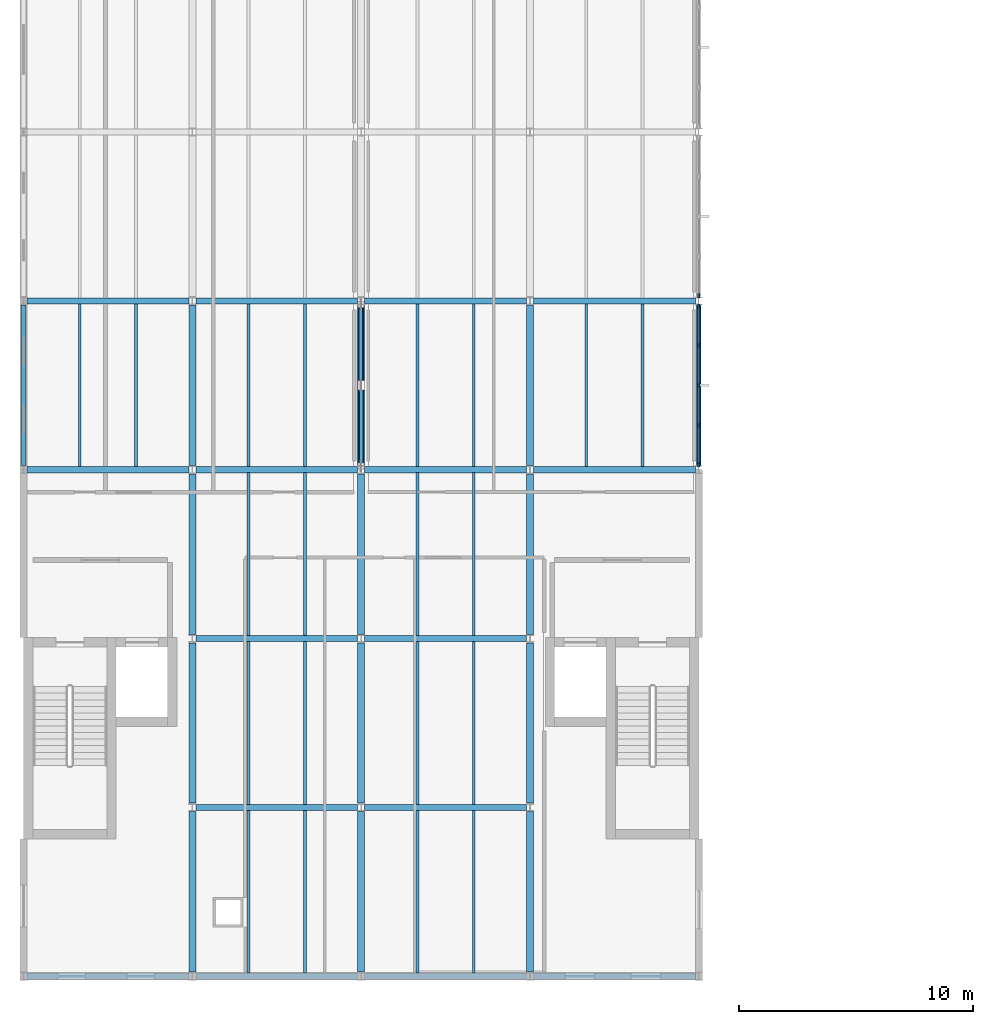
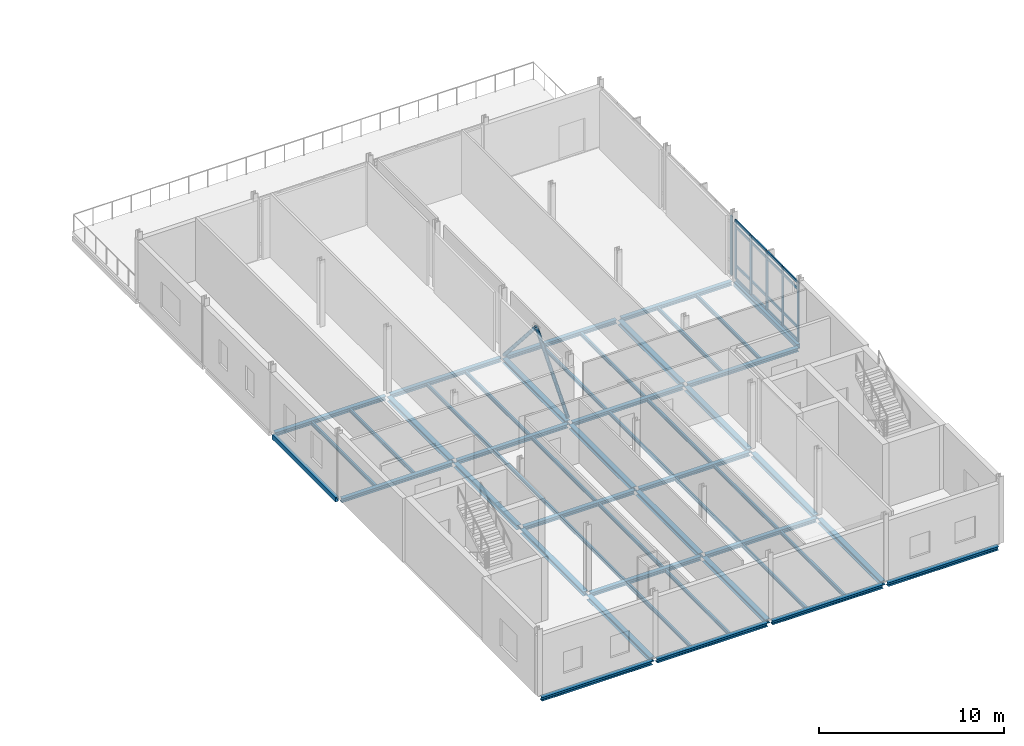
# One storey, part 4 of 21: 50 beams, 24 members, 2 elements without a shape of their own.
"""IFC4 building model written with IfcOpenShell, lengths in metres."""

from ifc_helpers import new_model, si_unit, direction, frame, origin, origin_2d, place, context, subcontext, project, spatial, rectangle, hollow_rectangle, hollow_circle, i_section, extrude, material, layer, layer_set, material_profile, profile_set, type_object, element, aggregate, save


model = new_model("IFC4")

# Units and contexts
model_context = context("Model", 3, precision=1e-05, world=origin(), true_north=direction((0.0, 1.0)))
body_context = subcontext(model_context, "Body", "Model", "MODEL_VIEW")
ifc_project = project(units=[si_unit("LENGTHUNIT", "METRE"), si_unit("AREAUNIT", "SQUARE_METRE"), si_unit("VOLUMEUNIT", "CUBIC_METRE"), si_unit("PLANEANGLEUNIT", "RADIAN"), si_unit("MASSUNIT", "GRAM", prefix="KILO")], contexts=[model_context])

# Site, building, storey
site_placement = place(None, origin())
site = spatial("IfcSite", under=ifc_project, at=site_placement, CompositionType="ELEMENT")
building_placement = place(site_placement, origin())
building = spatial("IfcBuilding", under=site, at=building_placement, Name="Zarrinpeak Specialist Clinic", CompositionType="ELEMENT")
storey_placement = place(building_placement, frame((0.0, 0.0, 22.800048828125)))
storey = spatial("IfcBuildingStorey", under=building, at=storey_placement, Name="L05", CompositionType="ELEMENT", Elevation=22.800048828125)

# Beams
ifc_material_1 = material(Name="Steel S355", Category="steel")
ifc_material_profile_1 = material_profile(ifc_material_1, i_section(OverallWidth=0.260009765625, OverallDepth=0.25, WebThickness=0.007568359375, FlangeThickness=0.012451171875, FilletRadius=0.02392578125, at=origin_2d()), Name="HEA 260")
ifc_profile_set_1 = profile_set([ifc_material_profile_1], Name="Steel S355")
beam_type_1 = type_object("IfcBeamType", Name="BM-HEA260", PredefinedType="BEAM", material=ifc_profile_set_1)
for number, where, z_axis, x_axis, name in (
    (1, (0.14794921875, 0.0, -0.31005859375), (1.0, 0.0, 0.0), (0.0, 1.0, 0.0), "L05 Primary Floor Girder BM-L05-X2037"),
    (2, (7.347900390625, 0.0, -0.31005859375), (1.0, 0.0, 0.0), (0.0, 1.0, 0.0), "L05 Primary Floor Girder BM-L05-X2038"),
):
    element("IfcBeam", number, at=place(storey_placement, frame(where, z_axis=z_axis, x_axis=x_axis)), inside=storey, type_object=beam_type_1, Name=name, PredefinedType="BEAM", context=body_context, shape_type="SweptSolid", body=[
        extrude(i_section(OverallWidth=0.260009765625, OverallDepth=0.25, WebThickness=0.007568359375, FlangeThickness=0.012451171875, FilletRadius=0.02392578125, at=origin_2d()), origin(), (0.0, 0.0, 1.0), 6.904052734375),
    ])
beam_1_placement = place(storey_placement, frame((14.548095703125, 0.0, -0.31005859375), z_axis=(1.0, 0.0, 0.0), x_axis=(0.0, 1.0, 0.0)))
element("IfcBeam", 3, at=beam_1_placement, inside=storey, type_object=beam_type_1, Name="L05 Primary Floor Girder BM-L05-X2039", PredefinedType="BEAM", context=body_context, shape_type="SweptSolid", body=[
    extrude(i_section(OverallWidth=0.260009765625, OverallDepth=0.25, WebThickness=0.007568359375, FlangeThickness=0.012451171875, FilletRadius=0.02392578125, at=origin_2d()), origin(), (0.0, 0.0, 1.0), 6.90380859375),
])
for number, where, z_axis, x_axis, name in (
    (4, (21.748046875, 0.0, -0.31005859375), (1.0, 0.0, 0.0), (0.0, 1.0, 0.0), "L05 Primary Floor Girder BM-L05-X2040"),
    (5, (7.347900390625, 7.199951171875, -0.31005859375), (1.0, 0.0, 0.0), (0.0, 1.0, 0.0), "L05 Primary Floor Girder BM-L05-X2041"),
):
    element("IfcBeam", number, at=place(storey_placement, frame(where, z_axis=z_axis, x_axis=x_axis)), inside=storey, type_object=beam_type_1, Name=name, PredefinedType="BEAM", context=body_context, shape_type="SweptSolid", body=[
        extrude(i_section(OverallWidth=0.260009765625, OverallDepth=0.25, WebThickness=0.007568359375, FlangeThickness=0.012451171875, FilletRadius=0.02392578125, at=origin_2d()), origin(), (0.0, 0.0, 1.0), 6.904052734375),
    ])
beam_2_placement = place(storey_placement, frame((14.548095703125, 7.199951171875, -0.31005859375), z_axis=(1.0, 0.0, 0.0), x_axis=(0.0, 1.0, 0.0)))
element("IfcBeam", 6, at=beam_2_placement, inside=storey, type_object=beam_type_1, Name="L05 Primary Floor Girder BM-L05-X2042", PredefinedType="BEAM", context=body_context, shape_type="SweptSolid", body=[
    extrude(i_section(OverallWidth=0.260009765625, OverallDepth=0.25, WebThickness=0.007568359375, FlangeThickness=0.012451171875, FilletRadius=0.02392578125, at=origin_2d()), origin(), (0.0, 0.0, 1.0), 6.90380859375),
])
beam_3_placement = place(storey_placement, frame((7.347900390625, 14.39990234375, -0.31005859375), z_axis=(1.0, 0.0, 0.0), x_axis=(0.0, 1.0, 0.0)))
element("IfcBeam", 7, at=beam_3_placement, inside=storey, type_object=beam_type_1, Name="L05 Primary Floor Girder BM-L05-X2043", PredefinedType="BEAM", context=body_context, shape_type="SweptSolid", body=[
    extrude(i_section(OverallWidth=0.260009765625, OverallDepth=0.25, WebThickness=0.007568359375, FlangeThickness=0.012451171875, FilletRadius=0.02392578125, at=origin_2d()), origin(), (0.0, 0.0, 1.0), 6.904052734375),
])
beam_4_placement = place(storey_placement, frame((14.548095703125, 14.39990234375, -0.31005859375), z_axis=(1.0, 0.0, 0.0), x_axis=(0.0, 1.0, 0.0)))
element("IfcBeam", 8, at=beam_4_placement, inside=storey, type_object=beam_type_1, Name="L05 Primary Floor Girder BM-L05-X2044", PredefinedType="BEAM", context=body_context, shape_type="SweptSolid", body=[
    extrude(i_section(OverallWidth=0.260009765625, OverallDepth=0.25, WebThickness=0.007568359375, FlangeThickness=0.012451171875, FilletRadius=0.02392578125, at=origin_2d()), origin(), (0.0, 0.0, 1.0), 6.90380859375),
])
for number, where, z_axis, x_axis, name in (
    (9, (0.14794921875, 21.60009765625, -0.31005859375), (1.0, 0.0, 0.0), (0.0, 1.0, 0.0), "L05 Primary Floor Girder BM-L05-X2045"),
    (10, (7.347900390625, 21.60009765625, -0.31005859375), (1.0, 0.0, 0.0), (0.0, 1.0, 0.0), "L05 Primary Floor Girder BM-L05-X2046"),
):
    element("IfcBeam", number, at=place(storey_placement, frame(where, z_axis=z_axis, x_axis=x_axis)), inside=storey, type_object=beam_type_1, Name=name, PredefinedType="BEAM", context=body_context, shape_type="SweptSolid", body=[
        extrude(i_section(OverallWidth=0.260009765625, OverallDepth=0.25, WebThickness=0.007568359375, FlangeThickness=0.012451171875, FilletRadius=0.02392578125, at=origin_2d()), origin(), (0.0, 0.0, 1.0), 6.904052734375),
    ])
beam_5_placement = place(storey_placement, frame((14.548095703125, 21.60009765625, -0.31005859375), z_axis=(1.0, 0.0, 0.0), x_axis=(0.0, 1.0, 0.0)))
element("IfcBeam", 11, at=beam_5_placement, inside=storey, type_object=beam_type_1, Name="L05 Primary Floor Girder BM-L05-X2047", PredefinedType="BEAM", context=body_context, shape_type="SweptSolid", body=[
    extrude(i_section(OverallWidth=0.260009765625, OverallDepth=0.25, WebThickness=0.007568359375, FlangeThickness=0.012451171875, FilletRadius=0.02392578125, at=origin_2d()), origin(), (0.0, 0.0, 1.0), 6.90380859375),
])
for number, where, z_axis, x_axis, name in (
    (12, (21.748046875, 21.60009765625, -0.31005859375), (1.0, 0.0, 0.0), (0.0, 1.0, 0.0), "L05 Primary Floor Girder BM-L05-X2048"),
    (13, (0.14794921875, 28.800048828125, -0.31005859375), (1.0, 0.0, 0.0), (0.0, 1.0, 0.0), "L05 Primary Floor Girder BM-L05-X2049"),
    (14, (7.347900390625, 28.800048828125, -0.31005859375), (1.0, 0.0, 0.0), (0.0, 1.0, 0.0), "L05 Primary Floor Girder BM-L05-X2050"),
):
    element("IfcBeam", number, at=place(storey_placement, frame(where, z_axis=z_axis, x_axis=x_axis)), inside=storey, type_object=beam_type_1, Name=name, PredefinedType="BEAM", context=body_context, shape_type="SweptSolid", body=[
        extrude(i_section(OverallWidth=0.260009765625, OverallDepth=0.25, WebThickness=0.007568359375, FlangeThickness=0.012451171875, FilletRadius=0.02392578125, at=origin_2d()), origin(), (0.0, 0.0, 1.0), 6.904052734375),
    ])
beam_6_placement = place(storey_placement, frame((14.548095703125, 28.800048828125, -0.31005859375), z_axis=(1.0, 0.0, 0.0), x_axis=(0.0, 1.0, 0.0)))
element("IfcBeam", 15, at=beam_6_placement, inside=storey, type_object=beam_type_1, Name="L05 Primary Floor Girder BM-L05-X2051", PredefinedType="BEAM", context=body_context, shape_type="SweptSolid", body=[
    extrude(i_section(OverallWidth=0.260009765625, OverallDepth=0.25, WebThickness=0.007568359375, FlangeThickness=0.012451171875, FilletRadius=0.02392578125, at=origin_2d()), origin(), (0.0, 0.0, 1.0), 6.90380859375),
])
beam_7_placement = place(storey_placement, frame((21.748046875, 28.800048828125, -0.31005859375), z_axis=(1.0, 0.0, 0.0), x_axis=(0.0, 1.0, 0.0)))
element("IfcBeam", 16, at=beam_7_placement, inside=storey, type_object=beam_type_1, Name="L05 Primary Floor Girder BM-L05-X2052", PredefinedType="BEAM", context=body_context, shape_type="SweptSolid", body=[
    extrude(i_section(OverallWidth=0.260009765625, OverallDepth=0.25, WebThickness=0.007568359375, FlangeThickness=0.012451171875, FilletRadius=0.02392578125, at=origin_2d()), origin(), (0.0, 0.0, 1.0), 6.904052734375),
])
ifc_material_profile_2 = material_profile(ifc_material_1, i_section(OverallWidth=0.300048828125, OverallDepth=0.2900390625, WebThickness=0.008544921875, FlangeThickness=0.013916015625, FilletRadius=0.027099609375, at=origin_2d()), Name="HEA 300")
ifc_profile_set_2 = profile_set([ifc_material_profile_2], Name="Steel S355")
beam_type_2 = type_object("IfcBeamType", Name="BM-HEA300", PredefinedType="BEAM", material=ifc_profile_set_2)
for number, where, z_axis, x_axis, name in (
    (17, (7.199951171875, 0.177978515625, -0.330078125), (0.0, 1.0, 0.0), (-1.0, 0.0, 0.0), "L05 Primary Beam BM-L05-Y2087"),
    (18, (7.199951171875, 7.3779296875, -0.330078125), (0.0, 1.0, 0.0), (-1.0, 0.0, 0.0), "L05 Primary Beam BM-L05-Y2088"),
):
    element("IfcBeam", number, at=place(storey_placement, frame(where, z_axis=z_axis, x_axis=x_axis)), inside=storey, type_object=beam_type_2, Name=name, PredefinedType="BEAM", context=body_context, shape_type="SweptSolid", body=[
        extrude(i_section(OverallWidth=0.300048828125, OverallDepth=0.2900390625, WebThickness=0.008544921875, FlangeThickness=0.013916015625, FilletRadius=0.027099609375, at=origin_2d()), origin(), (0.0, 0.0, 1.0), 6.843994140625),
    ])
beam_8_placement = place(storey_placement, frame((7.199951171875, 14.577880859375, -0.330078125), z_axis=(0.0, 1.0, 0.0), x_axis=(-1.0, 0.0, 0.0)))
element("IfcBeam", 19, at=beam_8_placement, inside=storey, type_object=beam_type_2, Name="L05 Primary Beam BM-L05-Y2089", PredefinedType="BEAM", context=body_context, shape_type="SweptSolid", body=[
    extrude(i_section(OverallWidth=0.300048828125, OverallDepth=0.2900390625, WebThickness=0.008544921875, FlangeThickness=0.013916015625, FilletRadius=0.027099609375, at=origin_2d()), origin(), (0.0, 0.0, 1.0), 6.84423828125),
])
for number, where, z_axis, x_axis, name in (
    (20, (7.199951171875, 21.778076171875, -0.330078125), (0.0, 1.0, 0.0), (-1.0, 0.0, 0.0), "L05 Primary Beam BM-L05-Y2090"),
    (21, (14.39990234375, 0.177978515625, -0.330078125), (0.0, 1.0, 0.0), (-1.0, 0.0, 0.0), "L05 Primary Beam BM-L05-Y2094"),
    (22, (14.39990234375, 7.3779296875, -0.330078125), (0.0, 1.0, 0.0), (-1.0, 0.0, 0.0), "L05 Primary Beam BM-L05-Y2095"),
):
    element("IfcBeam", number, at=place(storey_placement, frame(where, z_axis=z_axis, x_axis=x_axis)), inside=storey, type_object=beam_type_2, Name=name, PredefinedType="BEAM", context=body_context, shape_type="SweptSolid", body=[
        extrude(i_section(OverallWidth=0.300048828125, OverallDepth=0.2900390625, WebThickness=0.008544921875, FlangeThickness=0.013916015625, FilletRadius=0.027099609375, at=origin_2d()), origin(), (0.0, 0.0, 1.0), 6.843994140625),
    ])
beam_9_placement = place(storey_placement, frame((14.39990234375, 14.577880859375, -0.330078125), z_axis=(0.0, 1.0, 0.0), x_axis=(-1.0, 0.0, 0.0)))
element("IfcBeam", 23, at=beam_9_placement, inside=storey, type_object=beam_type_2, Name="L05 Primary Beam BM-L05-Y2096", PredefinedType="BEAM", context=body_context, shape_type="SweptSolid", body=[
    extrude(i_section(OverallWidth=0.300048828125, OverallDepth=0.2900390625, WebThickness=0.008544921875, FlangeThickness=0.013916015625, FilletRadius=0.027099609375, at=origin_2d()), origin(), (0.0, 0.0, 1.0), 6.84423828125),
])
for number, where, z_axis, x_axis, name in (
    (24, (14.39990234375, 21.778076171875, -0.330078125), (0.0, 1.0, 0.0), (-1.0, 0.0, 0.0), "L05 Primary Beam BM-L05-Y2097"),
    (25, (21.60009765625, 0.177978515625, -0.330078125), (0.0, 1.0, 0.0), (-1.0, 0.0, 0.0), "L05 Primary Beam BM-L05-Y2101"),
    (26, (21.60009765625, 7.3779296875, -0.330078125), (0.0, 1.0, 0.0), (-1.0, 0.0, 0.0), "L05 Primary Beam BM-L05-Y2102"),
):
    element("IfcBeam", number, at=place(storey_placement, frame(where, z_axis=z_axis, x_axis=x_axis)), inside=storey, type_object=beam_type_2, Name=name, PredefinedType="BEAM", context=body_context, shape_type="SweptSolid", body=[
        extrude(i_section(OverallWidth=0.300048828125, OverallDepth=0.2900390625, WebThickness=0.008544921875, FlangeThickness=0.013916015625, FilletRadius=0.027099609375, at=origin_2d()), origin(), (0.0, 0.0, 1.0), 6.843994140625),
    ])
beam_10_placement = place(storey_placement, frame((21.60009765625, 14.577880859375, -0.330078125), z_axis=(0.0, 1.0, 0.0), x_axis=(-1.0, 0.0, 0.0)))
element("IfcBeam", 27, at=beam_10_placement, inside=storey, type_object=beam_type_2, Name="L05 Primary Beam BM-L05-Y2103", PredefinedType="BEAM", context=body_context, shape_type="SweptSolid", body=[
    extrude(i_section(OverallWidth=0.300048828125, OverallDepth=0.2900390625, WebThickness=0.008544921875, FlangeThickness=0.013916015625, FilletRadius=0.027099609375, at=origin_2d()), origin(), (0.0, 0.0, 1.0), 6.84423828125),
])
beam_11_placement = place(storey_placement, frame((21.60009765625, 21.778076171875, -0.330078125), z_axis=(0.0, 1.0, 0.0), x_axis=(-1.0, 0.0, 0.0)))
element("IfcBeam", 28, at=beam_11_placement, inside=storey, type_object=beam_type_2, Name="L05 Primary Beam BM-L05-Y2104", PredefinedType="BEAM", context=body_context, shape_type="SweptSolid", body=[
    extrude(i_section(OverallWidth=0.300048828125, OverallDepth=0.2900390625, WebThickness=0.008544921875, FlangeThickness=0.013916015625, FilletRadius=0.027099609375, at=origin_2d()), origin(), (0.0, 0.0, 1.0), 6.843994140625),
])
ifc_material_profile_3 = material_profile(ifc_material_1, i_section(OverallWidth=0.1201171875, OverallDepth=0.239990234375, WebThickness=0.006103515625, FlangeThickness=0.009765625, FilletRadius=0.014892578125, at=origin_2d()), Name="IPE 240")
ifc_profile_set_3 = profile_set([ifc_material_profile_3], Name="Steel S355")
beam_type_3 = type_object("IfcBeamType", Name="BM-JST240", PredefinedType="JOIST", material=ifc_profile_set_3)
for number, where, z_axis, x_axis, name in (
    (29, (2.39990234375, 21.72802734375, -0.304931640625), (0.0, 1.0, 0.0), (-1.0, 0.0, 0.0), "L05 Composite Floor Joist JST-L05-2128"),
    (30, (4.800048828125, 21.72802734375, -0.304931640625), (0.0, 1.0, 0.0), (-1.0, 0.0, 0.0), "L05 Composite Floor Joist JST-L05-2129"),
    (31, (9.60009765625, 0.1279296875, -0.304931640625), (0.0, 1.0, 0.0), (-1.0, 0.0, 0.0), "L05 Composite Floor Joist JST-L05-2134"),
    (32, (12.0, 0.1279296875, -0.304931640625), (0.0, 1.0, 0.0), (-1.0, 0.0, 0.0), "L05 Composite Floor Joist JST-L05-2135"),
    (33, (9.60009765625, 7.327880859375, -0.304931640625), (0.0, 1.0, 0.0), (-1.0, 0.0, 0.0), "L05 Composite Floor Joist JST-L05-2136"),
    (34, (12.0, 7.327880859375, -0.304931640625), (0.0, 1.0, 0.0), (-1.0, 0.0, 0.0), "L05 Composite Floor Joist JST-L05-2137"),
):
    element("IfcBeam", number, at=place(storey_placement, frame(where, z_axis=z_axis, x_axis=x_axis)), inside=storey, type_object=beam_type_3, Name=name, PredefinedType="JOIST", context=body_context, shape_type="SweptSolid", body=[
        extrude(i_section(OverallWidth=0.1201171875, OverallDepth=0.239990234375, WebThickness=0.006103515625, FlangeThickness=0.009765625, FilletRadius=0.014892578125, at=origin_2d()), origin(), (0.0, 0.0, 1.0), 6.944091796875),
    ])
for number, where, z_axis, x_axis, name in (
    (35, (9.60009765625, 14.528076171875, -0.304931640625), (0.0, 1.0, 0.0), (-1.0, 0.0, 0.0), "L05 Composite Floor Joist JST-L05-2138"),
    (36, (12.0, 14.528076171875, -0.304931640625), (0.0, 1.0, 0.0), (-1.0, 0.0, 0.0), "L05 Composite Floor Joist JST-L05-2139"),
):
    element("IfcBeam", number, at=place(storey_placement, frame(where, z_axis=z_axis, x_axis=x_axis)), inside=storey, type_object=beam_type_3, Name=name, PredefinedType="JOIST", context=body_context, shape_type="SweptSolid", body=[
        extrude(i_section(OverallWidth=0.1201171875, OverallDepth=0.239990234375, WebThickness=0.006103515625, FlangeThickness=0.009765625, FilletRadius=0.014892578125, at=origin_2d()), origin(), (0.0, 0.0, 1.0), 6.94384765625),
    ])
for number, where, z_axis, x_axis, name in (
    (37, (9.60009765625, 21.72802734375, -0.304931640625), (0.0, 1.0, 0.0), (-1.0, 0.0, 0.0), "L05 Composite Floor Joist JST-L05-2140"),
    (38, (12.0, 21.72802734375, -0.304931640625), (0.0, 1.0, 0.0), (-1.0, 0.0, 0.0), "L05 Composite Floor Joist JST-L05-2141"),
    (39, (16.800048828125, 0.1279296875, -0.304931640625), (0.0, 1.0, 0.0), (-1.0, 0.0, 0.0), "L05 Composite Floor Joist JST-L05-2146"),
    (40, (19.199951171875, 0.1279296875, -0.304931640625), (0.0, 1.0, 0.0), (-1.0, 0.0, 0.0), "L05 Composite Floor Joist JST-L05-2147"),
    (41, (16.800048828125, 7.327880859375, -0.304931640625), (0.0, 1.0, 0.0), (-1.0, 0.0, 0.0), "L05 Composite Floor Joist JST-L05-2148"),
    (42, (19.199951171875, 7.327880859375, -0.304931640625), (0.0, 1.0, 0.0), (-1.0, 0.0, 0.0), "L05 Composite Floor Joist JST-L05-2149"),
):
    element("IfcBeam", number, at=place(storey_placement, frame(where, z_axis=z_axis, x_axis=x_axis)), inside=storey, type_object=beam_type_3, Name=name, PredefinedType="JOIST", context=body_context, shape_type="SweptSolid", body=[
        extrude(i_section(OverallWidth=0.1201171875, OverallDepth=0.239990234375, WebThickness=0.006103515625, FlangeThickness=0.009765625, FilletRadius=0.014892578125, at=origin_2d()), origin(), (0.0, 0.0, 1.0), 6.944091796875),
    ])
for number, where, z_axis, x_axis, name in (
    (43, (16.800048828125, 14.528076171875, -0.304931640625), (0.0, 1.0, 0.0), (-1.0, 0.0, 0.0), "L05 Composite Floor Joist JST-L05-2150"),
    (44, (19.199951171875, 14.528076171875, -0.304931640625), (0.0, 1.0, 0.0), (-1.0, 0.0, 0.0), "L05 Composite Floor Joist JST-L05-2151"),
):
    element("IfcBeam", number, at=place(storey_placement, frame(where, z_axis=z_axis, x_axis=x_axis)), inside=storey, type_object=beam_type_3, Name=name, PredefinedType="JOIST", context=body_context, shape_type="SweptSolid", body=[
        extrude(i_section(OverallWidth=0.1201171875, OverallDepth=0.239990234375, WebThickness=0.006103515625, FlangeThickness=0.009765625, FilletRadius=0.014892578125, at=origin_2d()), origin(), (0.0, 0.0, 1.0), 6.94384765625),
    ])
for number, where, z_axis, x_axis, name in (
    (45, (16.800048828125, 21.72802734375, -0.304931640625), (0.0, 1.0, 0.0), (-1.0, 0.0, 0.0), "L05 Composite Floor Joist JST-L05-2152"),
    (46, (19.199951171875, 21.72802734375, -0.304931640625), (0.0, 1.0, 0.0), (-1.0, 0.0, 0.0), "L05 Composite Floor Joist JST-L05-2153"),
    (47, (24.0, 21.72802734375, -0.304931640625), (0.0, 1.0, 0.0), (-1.0, 0.0, 0.0), "L05 Composite Floor Joist JST-L05-2158"),
    (48, (26.39990234375, 21.72802734375, -0.304931640625), (0.0, 1.0, 0.0), (-1.0, 0.0, 0.0), "L05 Composite Floor Joist JST-L05-2159"),
):
    element("IfcBeam", number, at=place(storey_placement, frame(where, z_axis=z_axis, x_axis=x_axis)), inside=storey, type_object=beam_type_3, Name=name, PredefinedType="JOIST", context=body_context, shape_type="SweptSolid", body=[
        extrude(i_section(OverallWidth=0.1201171875, OverallDepth=0.239990234375, WebThickness=0.006103515625, FlangeThickness=0.009765625, FilletRadius=0.014892578125, at=origin_2d()), origin(), (0.0, 0.0, 1.0), 6.944091796875),
    ])
ifc_material_profile_4 = material_profile(ifc_material_1, hollow_rectangle(XDim=0.199951171875, YDim=0.300048828125, WallThickness=0.012451171875, at=origin_2d()), Name="RHS 300x200x12.5")
ifc_profile_set_4 = profile_set([ifc_material_profile_4], Name="Steel S355")
beam_type_4 = type_object("IfcBeamType", Name="BM-SP300", PredefinedType="SPANDREL", material=ifc_profile_set_4)
for number, where, z_axis, x_axis, name in (
    (49, (0.0, 21.778076171875, -0.3349609375), (0.0, 1.0, 0.0), (-1.0, 0.0, 0.0), "L05 Perimeter Spandrel Beam BM-L05-Y2083"),
    (50, (28.800048828125, 21.778076171875, -0.3349609375), (0.0, 1.0, 0.0), (-1.0, 0.0, 0.0), "L05 Perimeter Spandrel Beam BM-L05-Y2108"),
):
    element("IfcBeam", number, at=place(storey_placement, frame(where, z_axis=z_axis, x_axis=x_axis)), inside=storey, type_object=beam_type_4, Name=name, PredefinedType="SPANDREL", context=body_context, shape_type="SweptSolid", body=[
        extrude(hollow_rectangle(XDim=0.199951171875, YDim=0.300048828125, WallThickness=0.012451171875, at=origin_2d()), origin(), (0.0, 0.0, 1.0), 6.843994140625),
    ])

# Curtain wall, members
ifc_material_2 = material(Name="Anodised Aluminium Alloy 6063-T6", Category="aluminium")
ifc_layer = layer(ifc_material_2, 0.179931640625)
ifc_layer_set = layer_set([ifc_layer], Name="Anodised Aluminium Alloy 6063-T6")
curtain_wall_type = type_object("IfcCurtainWallType", Name="CW-COURT", PredefinedType="NOTDEFINED", material=ifc_layer_set)
curtain_wall_1_placement = place(storey_placement, origin())
curtain_wall_1 = element("IfcCurtainWall", 51, at=curtain_wall_1_placement, inside=storey, type_object=curtain_wall_type, Name="L05 V1 Unitised Curtain Wall CW-L05-V1-033", PredefinedType="NOTDEFINED")
ifc_material_profile_5 = material_profile(ifc_material_2, rectangle(XDim=0.074951171875, YDim=0.179931640625, at=origin_2d()), Name="ALU 75x180")
ifc_profile_set_5 = profile_set([ifc_material_profile_5], Name="Anodised Aluminium Alloy 6063-T6")
member_type_1 = type_object("IfcMemberType", Name="CWM-75", PredefinedType="MULLION", material=ifc_profile_set_5)
member_1_placement = place(storey_placement, frame((28.800048828125, 21.822509765625, 0.0), z_axis=(0.0, 0.0, 1.0), x_axis=(-1.0, 0.0, 0.0)))
member_1 = element("IfcMember", 52, at=member_1_placement, type_object=member_type_1, Name="CW-01 mullion 1", PredefinedType="MULLION", context=body_context, shape_type="SweptSolid", body=[
    extrude(rectangle(XDim=0.074951171875, YDim=0.179931640625, at=origin_2d()), origin(), (0.0, 0.0, 1.0), 3.89990234375),
])
member_2_placement = place(storey_placement, frame((28.800048828125, 23.492431640625, 0.0), z_axis=(0.0, 0.0, 1.0), x_axis=(-1.0, 0.0, 0.0)))
member_2 = element("IfcMember", 53, at=member_2_placement, type_object=member_type_1, Name="CW-01 mullion 2", PredefinedType="MULLION", context=body_context, shape_type="SweptSolid", body=[
    extrude(rectangle(XDim=0.074951171875, YDim=0.179931640625, at=origin_2d()), origin(), (0.0, 0.0, 1.0), 3.89990234375),
])
member_3_placement = place(storey_placement, frame((28.800048828125, 25.199951171875, 0.0), z_axis=(0.0, 0.0, 1.0), x_axis=(-1.0, 0.0, 0.0)))
member_3 = element("IfcMember", 54, at=member_3_placement, type_object=member_type_1, Name="CW-01 mullion 3", PredefinedType="MULLION", context=body_context, shape_type="SweptSolid", body=[
    extrude(rectangle(XDim=0.074951171875, YDim=0.179931640625, at=origin_2d()), origin(), (0.0, 0.0, 1.0), 3.89990234375),
])
member_4_placement = place(storey_placement, frame((28.800048828125, 26.907470703125, 0.0), z_axis=(0.0, 0.0, 1.0), x_axis=(-1.0, 0.0, 0.0)))
member_4 = element("IfcMember", 55, at=member_4_placement, type_object=member_type_1, Name="CW-01 mullion 4", PredefinedType="MULLION", context=body_context, shape_type="SweptSolid", body=[
    extrude(rectangle(XDim=0.074951171875, YDim=0.179931640625, at=origin_2d()), origin(), (0.0, 0.0, 1.0), 3.89990234375),
])
member_5_placement = place(storey_placement, frame((28.800048828125, 28.577392578125, 0.0), z_axis=(0.0, 0.0, 1.0), x_axis=(-1.0, 0.0, 0.0)))
member_5 = element("IfcMember", 56, at=member_5_placement, type_object=member_type_1, Name="CW-01 mullion 5", PredefinedType="MULLION", context=body_context, shape_type="SweptSolid", body=[
    extrude(rectangle(XDim=0.074951171875, YDim=0.179931640625, at=origin_2d()), origin(), (0.0, 0.0, 1.0), 3.89990234375),
])

# Curtain wall, member
curtain_wall_2_placement = place(storey_placement, origin())
curtain_wall_2 = element("IfcCurtainWall", 57, at=curtain_wall_2_placement, inside=storey, type_object=curtain_wall_type, Name="L05 V1 Unitised Curtain Wall CW-L05-V1-034", PredefinedType="NOTDEFINED")
member_6_placement = place(storey_placement, frame((28.800048828125, 29.0224609375, 0.0), z_axis=(0.0, 0.0, 1.0), x_axis=(-1.0, 0.0, 0.0)))
member_6 = element("IfcMember", 58, at=member_6_placement, type_object=member_type_1, Name="CW-01 mullion 1", PredefinedType="MULLION", context=body_context, shape_type="SweptSolid", body=[
    extrude(rectangle(XDim=0.074951171875, YDim=0.179931640625, at=origin_2d()), origin(), (0.0, 0.0, 1.0), 3.89990234375),
])
aggregate(curtain_wall_2, [member_6])

# Member
ifc_material_profile_6 = material_profile(ifc_material_2, rectangle(XDim=0.074951171875, YDim=0.159912109375, at=origin_2d()), Name="ALU 75x160")
ifc_profile_set_6 = profile_set([ifc_material_profile_6], Name="Anodised Aluminium Alloy 6063-T6")
member_type_2 = type_object("IfcMemberType", Name="CWT-75", PredefinedType="USERDEFINED", material=ifc_profile_set_6)
member_7_placement = place(storey_placement, frame((28.800048828125, 21.860107421875, 0.037353515625), z_axis=(0.0, 1.0, 0.0), x_axis=(-1.0, 0.0, 0.0)))
member_7 = element("IfcMember", 59, at=member_7_placement, type_object=member_type_2, Name="CW-01 transom 1.1", ObjectType="TRANSOM", PredefinedType="USERDEFINED", context=body_context, shape_type="SweptSolid", body=[
    extrude(rectangle(XDim=0.074951171875, YDim=0.159912109375, at=origin_2d()), origin(), (0.0, 0.0, 1.0), 1.594970703125),
])

member_8_placement = place(storey_placement, frame((28.800048828125, 21.860107421875, 0.89990234375), z_axis=(0.0, 1.0, 0.0), x_axis=(-1.0, 0.0, 0.0)))
member_8 = element("IfcMember", 60, at=member_8_placement, type_object=member_type_2, Name="CW-01 transom 1.2", ObjectType="TRANSOM", PredefinedType="USERDEFINED", context=body_context, shape_type="SweptSolid", body=[
    extrude(rectangle(XDim=0.074951171875, YDim=0.159912109375, at=origin_2d()), origin(), (0.0, 0.0, 1.0), 1.594970703125),
])

member_9_placement = place(storey_placement, frame((28.800048828125, 21.860107421875, 3.449951171875), z_axis=(0.0, 1.0, 0.0), x_axis=(-1.0, 0.0, 0.0)))
member_9 = element("IfcMember", 61, at=member_9_placement, type_object=member_type_2, Name="CW-01 transom 1.3", ObjectType="TRANSOM", PredefinedType="USERDEFINED", context=body_context, shape_type="SweptSolid", body=[
    extrude(rectangle(XDim=0.074951171875, YDim=0.159912109375, at=origin_2d()), origin(), (0.0, 0.0, 1.0), 1.594970703125),
])

member_10_placement = place(storey_placement, frame((28.800048828125, 21.860107421875, 3.862548828125), z_axis=(0.0, 1.0, 0.0), x_axis=(-1.0, 0.0, 0.0)))
member_10 = element("IfcMember", 62, at=member_10_placement, type_object=member_type_2, Name="CW-01 transom 1.4", ObjectType="TRANSOM", PredefinedType="USERDEFINED", context=body_context, shape_type="SweptSolid", body=[
    extrude(rectangle(XDim=0.074951171875, YDim=0.159912109375, at=origin_2d()), origin(), (0.0, 0.0, 1.0), 1.594970703125),
])

member_11_placement = place(storey_placement, frame((28.800048828125, 23.530029296875, 0.037353515625), z_axis=(0.0, 1.0, 0.0), x_axis=(-1.0, 0.0, 0.0)))
member_11 = element("IfcMember", 63, at=member_11_placement, type_object=member_type_2, Name="CW-01 transom 2.1", ObjectType="TRANSOM", PredefinedType="USERDEFINED", context=body_context, shape_type="SweptSolid", body=[
    extrude(rectangle(XDim=0.074951171875, YDim=0.159912109375, at=origin_2d()), origin(), (0.0, 0.0, 1.0), 1.632568359375),
])

member_12_placement = place(storey_placement, frame((28.800048828125, 23.530029296875, 0.89990234375), z_axis=(0.0, 1.0, 0.0), x_axis=(-1.0, 0.0, 0.0)))
member_12 = element("IfcMember", 64, at=member_12_placement, type_object=member_type_2, Name="CW-01 transom 2.2", ObjectType="TRANSOM", PredefinedType="USERDEFINED", context=body_context, shape_type="SweptSolid", body=[
    extrude(rectangle(XDim=0.074951171875, YDim=0.159912109375, at=origin_2d()), origin(), (0.0, 0.0, 1.0), 1.632568359375),
])

member_13_placement = place(storey_placement, frame((28.800048828125, 23.530029296875, 3.449951171875), z_axis=(0.0, 1.0, 0.0), x_axis=(-1.0, 0.0, 0.0)))
member_13 = element("IfcMember", 65, at=member_13_placement, type_object=member_type_2, Name="CW-01 transom 2.3", ObjectType="TRANSOM", PredefinedType="USERDEFINED", context=body_context, shape_type="SweptSolid", body=[
    extrude(rectangle(XDim=0.074951171875, YDim=0.159912109375, at=origin_2d()), origin(), (0.0, 0.0, 1.0), 1.632568359375),
])

member_14_placement = place(storey_placement, frame((28.800048828125, 23.530029296875, 3.862548828125), z_axis=(0.0, 1.0, 0.0), x_axis=(-1.0, 0.0, 0.0)))
member_14 = element("IfcMember", 66, at=member_14_placement, type_object=member_type_2, Name="CW-01 transom 2.4", ObjectType="TRANSOM", PredefinedType="USERDEFINED", context=body_context, shape_type="SweptSolid", body=[
    extrude(rectangle(XDim=0.074951171875, YDim=0.159912109375, at=origin_2d()), origin(), (0.0, 0.0, 1.0), 1.632568359375),
])

member_15_placement = place(storey_placement, frame((28.800048828125, 25.237548828125, 0.037353515625), z_axis=(0.0, 1.0, 0.0), x_axis=(-1.0, 0.0, 0.0)))
member_15 = element("IfcMember", 67, at=member_15_placement, type_object=member_type_2, Name="CW-01 transom 3.1", ObjectType="TRANSOM", PredefinedType="USERDEFINED", context=body_context, shape_type="SweptSolid", body=[
    extrude(rectangle(XDim=0.074951171875, YDim=0.159912109375, at=origin_2d()), origin(), (0.0, 0.0, 1.0), 1.632568359375),
])

member_16_placement = place(storey_placement, frame((28.800048828125, 25.237548828125, 0.89990234375), z_axis=(0.0, 1.0, 0.0), x_axis=(-1.0, 0.0, 0.0)))
member_16 = element("IfcMember", 68, at=member_16_placement, type_object=member_type_2, Name="CW-01 transom 3.2", ObjectType="TRANSOM", PredefinedType="USERDEFINED", context=body_context, shape_type="SweptSolid", body=[
    extrude(rectangle(XDim=0.074951171875, YDim=0.159912109375, at=origin_2d()), origin(), (0.0, 0.0, 1.0), 1.632568359375),
])

member_17_placement = place(storey_placement, frame((28.800048828125, 25.237548828125, 3.449951171875), z_axis=(0.0, 1.0, 0.0), x_axis=(-1.0, 0.0, 0.0)))
member_17 = element("IfcMember", 69, at=member_17_placement, type_object=member_type_2, Name="CW-01 transom 3.3", ObjectType="TRANSOM", PredefinedType="USERDEFINED", context=body_context, shape_type="SweptSolid", body=[
    extrude(rectangle(XDim=0.074951171875, YDim=0.159912109375, at=origin_2d()), origin(), (0.0, 0.0, 1.0), 1.632568359375),
])

member_18_placement = place(storey_placement, frame((28.800048828125, 25.237548828125, 3.862548828125), z_axis=(0.0, 1.0, 0.0), x_axis=(-1.0, 0.0, 0.0)))
member_18 = element("IfcMember", 70, at=member_18_placement, type_object=member_type_2, Name="CW-01 transom 3.4", ObjectType="TRANSOM", PredefinedType="USERDEFINED", context=body_context, shape_type="SweptSolid", body=[
    extrude(rectangle(XDim=0.074951171875, YDim=0.159912109375, at=origin_2d()), origin(), (0.0, 0.0, 1.0), 1.632568359375),
])

member_19_placement = place(storey_placement, frame((28.800048828125, 26.945068359375, 0.037353515625), z_axis=(0.0, 1.0, 0.0), x_axis=(-1.0, 0.0, 0.0)))
member_19 = element("IfcMember", 71, at=member_19_placement, type_object=member_type_2, Name="CW-01 transom 4.1", ObjectType="TRANSOM", PredefinedType="USERDEFINED", context=body_context, shape_type="SweptSolid", body=[
    extrude(rectangle(XDim=0.074951171875, YDim=0.159912109375, at=origin_2d()), origin(), (0.0, 0.0, 1.0), 1.594970703125),
])

member_20_placement = place(storey_placement, frame((28.800048828125, 26.945068359375, 0.89990234375), z_axis=(0.0, 1.0, 0.0), x_axis=(-1.0, 0.0, 0.0)))
member_20 = element("IfcMember", 72, at=member_20_placement, type_object=member_type_2, Name="CW-01 transom 4.2", ObjectType="TRANSOM", PredefinedType="USERDEFINED", context=body_context, shape_type="SweptSolid", body=[
    extrude(rectangle(XDim=0.074951171875, YDim=0.159912109375, at=origin_2d()), origin(), (0.0, 0.0, 1.0), 1.594970703125),
])

member_21_placement = place(storey_placement, frame((28.800048828125, 26.945068359375, 3.449951171875), z_axis=(0.0, 1.0, 0.0), x_axis=(-1.0, 0.0, 0.0)))
member_21 = element("IfcMember", 73, at=member_21_placement, type_object=member_type_2, Name="CW-01 transom 4.3", ObjectType="TRANSOM", PredefinedType="USERDEFINED", context=body_context, shape_type="SweptSolid", body=[
    extrude(rectangle(XDim=0.074951171875, YDim=0.159912109375, at=origin_2d()), origin(), (0.0, 0.0, 1.0), 1.594970703125),
])

member_22_placement = place(storey_placement, frame((28.800048828125, 26.945068359375, 3.862548828125), z_axis=(0.0, 1.0, 0.0), x_axis=(-1.0, 0.0, 0.0)))
member_22 = element("IfcMember", 74, at=member_22_placement, type_object=member_type_2, Name="CW-01 transom 4.4", ObjectType="TRANSOM", PredefinedType="USERDEFINED", context=body_context, shape_type="SweptSolid", body=[
    extrude(rectangle(XDim=0.074951171875, YDim=0.159912109375, at=origin_2d()), origin(), (0.0, 0.0, 1.0), 1.594970703125),
])

aggregate(curtain_wall_1, [member_1, member_2, member_3, member_4, member_5, member_7, member_8, member_9, member_10, member_11, member_12, member_13, member_14, member_15, member_16, member_17, member_18, member_19, member_20, member_21, member_22])

# Members
ifc_material_profile_7 = material_profile(ifc_material_1, hollow_circle(Radius=0.109619140625, WallThickness=0.010009765625, at=origin_2d()), Name="CHS 219.1x10.0")
ifc_profile_set_7 = profile_set([ifc_material_profile_7], Name="Steel S355")
member_type_3 = type_object("IfcMemberType", Name="MB-BR219", PredefinedType="BRACE", material=ifc_profile_set_7)
for number, where, z_axis, x_axis, name in (
    (75, (14.39990234375, 21.760009765625, 0.0048828125), (0.0, 0.659567762262, 0.751645107072), (-1.0, 0.0, 0.0), "V1 L05 Seismic Concentric Brace CBF-011"),
    (76, (14.39990234375, 28.639892578125, 0.0048828125), (0.0, -0.659567762262, 0.751645107072), (1.0, 0.0, 0.0), "V1 L05 Seismic Concentric Brace CBF-012"),
):
    element("IfcMember", number, at=place(storey_placement, frame(where, z_axis=z_axis, x_axis=x_axis)), inside=storey, type_object=member_type_3, Name=name, PredefinedType="BRACE", context=body_context, shape_type="SweptSolid", body=[
        extrude(hollow_circle(Radius=0.109619140625, WallThickness=0.010009765625, at=origin_2d()), origin(), (0.0, 0.0, 1.0), 5.21533203125),
    ])

save(model, "model.ifc")
